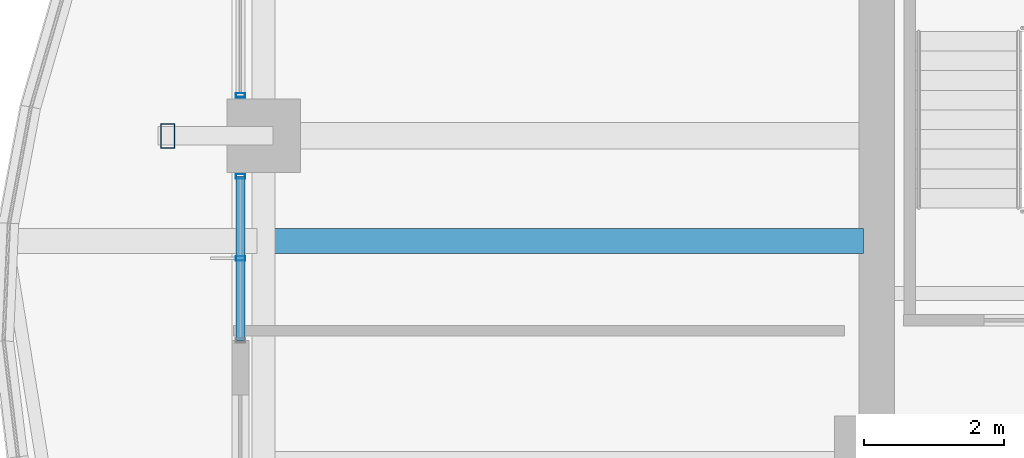
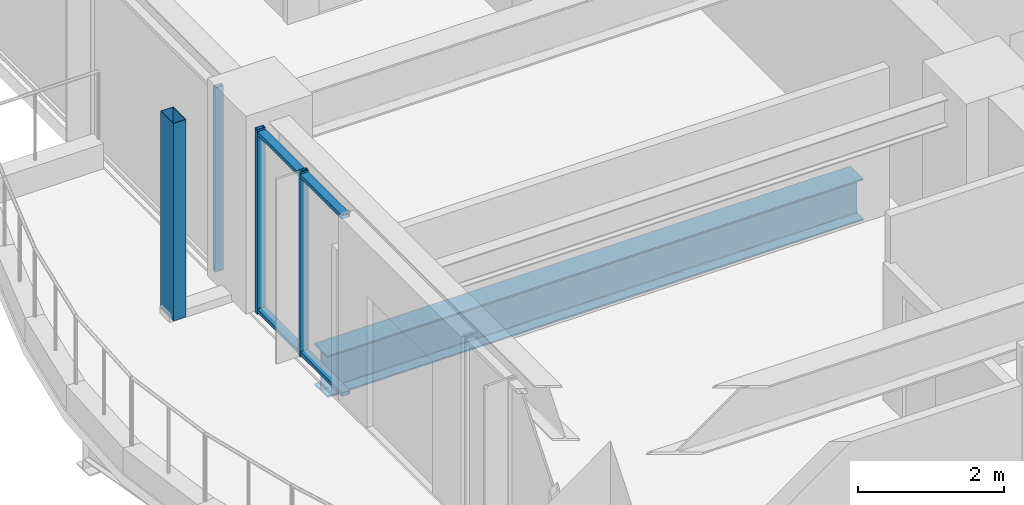
# One storey, part 11 of 38: 6 members, 1 beam, 2 elements without a shape of their own.
"""IFC4 building model written with IfcOpenShell, lengths in metres."""

from ifc_helpers import new_model, si_unit, direction, frame, origin, origin_2d, place, context, subcontext, project, spatial, hollow_rectangle, i_section, extrude, material, material_profile, profile_set, type_object, element, aggregate, save


model = new_model("IFC4")

# Units and contexts
model_context = context("Model", 3, precision=1e-05, world=origin(), true_north=direction((0.0, 1.0)))
body_context = subcontext(model_context, "Body", "Model", "MODEL_VIEW")
ifc_project = project(units=[si_unit("LENGTHUNIT", "METRE"), si_unit("AREAUNIT", "SQUARE_METRE"), si_unit("VOLUMEUNIT", "CUBIC_METRE"), si_unit("PLANEANGLEUNIT", "RADIAN"), si_unit("MASSUNIT", "GRAM", prefix="KILO")], contexts=[model_context])

# Site, building, storey
site_placement = place(None, origin())
site = spatial("IfcSite", under=ifc_project, at=site_placement, CompositionType="ELEMENT")
building_placement = place(site_placement, origin())
building = spatial("IfcBuilding", under=site, at=building_placement, Name="Kolvaren Belvedere", CompositionType="ELEMENT")
storey_placement = place(building_placement, frame((0.0, 0.0, 121.699951171875)))
storey = spatial("IfcBuildingStorey", under=building, at=storey_placement, Name="L35", CompositionType="ELEMENT", Elevation=121.699951171875)

# Beam
ifc_material_1 = material(Name="Structural steel ASTM A992 Grade 50", Category="steel")
ifc_material_profile_1 = material_profile(ifc_material_1, i_section(OverallWidth=0.35498046875, OverallDepth=0.696044921875, WebThickness=0.015380859375, FlangeThickness=0.02490234375, FilletRadius=0.02197265625, at=origin_2d()), Name="W27X146")
ifc_profile_set_1 = profile_set([ifc_material_profile_1], Name="Structural steel ASTM A992 Grade 50")
beam_type = type_object("IfcBeamType", Name="BM-GIRD-W27X146", PredefinedType="BEAM", material=ifc_profile_set_1)
beam_placement = place(storey_placement, frame((-10.090087890625, 3.10009765625, -0.56787109375), z_axis=(-1.0, 0.0, 0.0), x_axis=(0.0, -1.0, 0.0)))
element("IfcBeam", 1, at=beam_placement, inside=storey, type_object=beam_type, Name="L35 Balcony Interior Back-Span Girder BAL-W-2", PredefinedType="BEAM", context=body_context, shape_type="SweptSolid", body=[
    extrude(i_section(OverallWidth=0.35498046875, OverallDepth=0.696044921875, WebThickness=0.015380859375, FlangeThickness=0.02490234375, FilletRadius=0.02197265625, at=origin_2d()), origin(), (0.0, 0.0, 1.0), 8.46484375),
])

# Curtain wall, members
ifc_material_2 = material(Name="Anodised pale-metal aluminium AA 6063-T6", Category="aluminium")
curtain_wall_type = type_object("IfcCurtainWallType", Name="CW-Z3-WAIST", PredefinedType="NOTDEFINED", material=ifc_material_2)
curtain_wall_1_placement = place(storey_placement, origin())
curtain_wall_1 = element("IfcCurtainWall", 2, at=curtain_wall_1_placement, inside=storey, type_object=curtain_wall_type, Name="L35 Unitised Curtain Wall FCW-L35-W2-B1", PredefinedType="NOTDEFINED")
ifc_material_3 = material(Name="Anodised pale-metal aluminium AA 6063-T6", Category="aluminium")
ifc_material_profile_2 = material_profile(ifc_material_3, hollow_rectangle(XDim=0.06494140625, YDim=0.1298828125, WallThickness=0.00390625, at=origin_2d()), Name="ALU-MUL-130X65")
ifc_profile_set_2 = profile_set([ifc_material_profile_2], Name="Anodised pale-metal aluminium AA 6063-T6")
member_type_1 = type_object("IfcMemberType", Name="CW-MUL-130", PredefinedType="MULLION", material=ifc_profile_set_2)
member_1_placement = place(storey_placement, frame((-18.97998046875, 2.851318359375, 0.0), z_axis=(0.0, 0.0, 1.0), x_axis=(0.0, 1.0, 0.0)))
member_1 = element("IfcMember", 3, at=member_1_placement, type_object=member_type_1, Name="FCW-L35-W2-B1 Unitised Mullion 2", PredefinedType="MULLION", context=body_context, shape_type="SweptSolid", body=[
    extrude(hollow_rectangle(XDim=0.06494140625, YDim=0.1298828125, WallThickness=0.00390625, at=origin_2d()), origin(), (0.0, 0.0, 1.0), 3.080078125),
])
member_2_placement = place(storey_placement, frame((-18.97998046875, 4.0224609375, 0.0), z_axis=(0.0, 0.0, 1.0), x_axis=(0.0, 1.0, 0.0)))
member_2 = element("IfcMember", 4, at=member_2_placement, type_object=member_type_1, Name="FCW-L35-W2-B1 Unitised Mullion 3", PredefinedType="MULLION", context=body_context, shape_type="SweptSolid", body=[
    extrude(hollow_rectangle(XDim=0.06494140625, YDim=0.1298828125, WallThickness=0.00390625, at=origin_2d()), origin(), (0.0, 0.0, 1.0), 3.080078125),
])

# Curtain wall, member
curtain_wall_2_placement = place(storey_placement, origin())
curtain_wall_2 = element("IfcCurtainWall", 5, at=curtain_wall_2_placement, inside=storey, type_object=curtain_wall_type, Name="L35 Unitised Curtain Wall FCW-L35-W2-B2", PredefinedType="NOTDEFINED")
member_3_placement = place(storey_placement, frame((-18.97998046875, 5.177490234375, 0.0), z_axis=(0.0, 0.0, 1.0), x_axis=(0.0, 1.0, 0.0)))
member_3 = element("IfcMember", 6, at=member_3_placement, type_object=member_type_1, Name="FCW-L35-W2-B2 Unitised Mullion 1", PredefinedType="MULLION", context=body_context, shape_type="SweptSolid", body=[
    extrude(hollow_rectangle(XDim=0.06494140625, YDim=0.1298828125, WallThickness=0.00390625, at=origin_2d()), origin(), (0.0, 0.0, 1.0), 3.080078125),
])
aggregate(curtain_wall_2, [member_3])

# Member
ifc_material_4 = material(Name="Anodised pale-metal aluminium AA 6063-T6", Category="aluminium")
ifc_material_profile_3 = material_profile(ifc_material_4, hollow_rectangle(XDim=0.06005859375, YDim=0.1298828125, WallThickness=0.00390625, at=origin_2d()), Name="ALU-TRN-130X60")
ifc_profile_set_3 = profile_set([ifc_material_profile_3], Name="Anodised pale-metal aluminium AA 6063-T6")
member_type_2 = type_object("IfcMemberType", Name="CW-TRN-130", PredefinedType="USERDEFINED", material=ifc_profile_set_3)
member_4_placement = place(storey_placement, frame((-18.97998046875, 1.679931640625, 0.06005859375), z_axis=(0.0, 1.0, 0.0), x_axis=(0.0, 0.0, 1.0)))
member_4 = element("IfcMember", 7, at=member_4_placement, type_object=member_type_2, Name="FCW-L35-W2-B1 Sill Transom", ObjectType="TRANSOM", PredefinedType="USERDEFINED", context=body_context, shape_type="SweptSolid", body=[
    extrude(hollow_rectangle(XDim=0.06005859375, YDim=0.1298828125, WallThickness=0.00390625, at=origin_2d()), origin(), (0.0, 0.0, 1.0), 2.342529296875),
])

member_5_placement = place(storey_placement, frame((-18.97998046875, 1.679931640625, 3.02001953125), z_axis=(0.0, 1.0, 0.0), x_axis=(0.0, 0.0, 1.0)))
member_5 = element("IfcMember", 8, at=member_5_placement, type_object=member_type_2, Name="FCW-L35-W2-B1 Head Transom", ObjectType="TRANSOM", PredefinedType="USERDEFINED", context=body_context, shape_type="SweptSolid", body=[
    extrude(hollow_rectangle(XDim=0.06005859375, YDim=0.1298828125, WallThickness=0.00390625, at=origin_2d()), origin(), (0.0, 0.0, 1.0), 2.342529296875),
])

aggregate(curtain_wall_1, [member_1, member_2, member_4, member_5])

ifc_material_5 = material(Name="Anodised pale-metal aluminium AA 6063-T6", Category="aluminium")
ifc_material_profile_4 = material_profile(ifc_material_5, hollow_rectangle(XDim=0.199951171875, YDim=0.35009765625, WallThickness=0.007568359375, at=origin_2d()), Name="ALU-PF-350X200")
ifc_profile_set_4 = profile_set([ifc_material_profile_4], Name="Anodised pale-metal aluminium AA 6063-T6")
member_type_3 = type_object("IfcMemberType", Name="PF-FRAME-350", PredefinedType="USERDEFINED", material=ifc_profile_set_4)
member_6_placement = place(storey_placement, frame((-20.02001953125, 4.60009765625, 0.0), z_axis=(0.0, 0.0, 1.0), x_axis=(1.0, 0.0, 0.0)))
element("IfcMember", 9, at=member_6_placement, inside=storey, type_object=member_type_3, Name="L35 Outboard Picture-Frame Vertical W2", ObjectType="PICTURE FRAME FIN", PredefinedType="USERDEFINED", context=body_context, shape_type="SweptSolid", body=[
    extrude(hollow_rectangle(XDim=0.199951171875, YDim=0.35009765625, WallThickness=0.007568359375, at=origin_2d()), origin(), (0.0, 0.0, 1.0), 3.300048828125),
])

save(model, "model.ifc")
